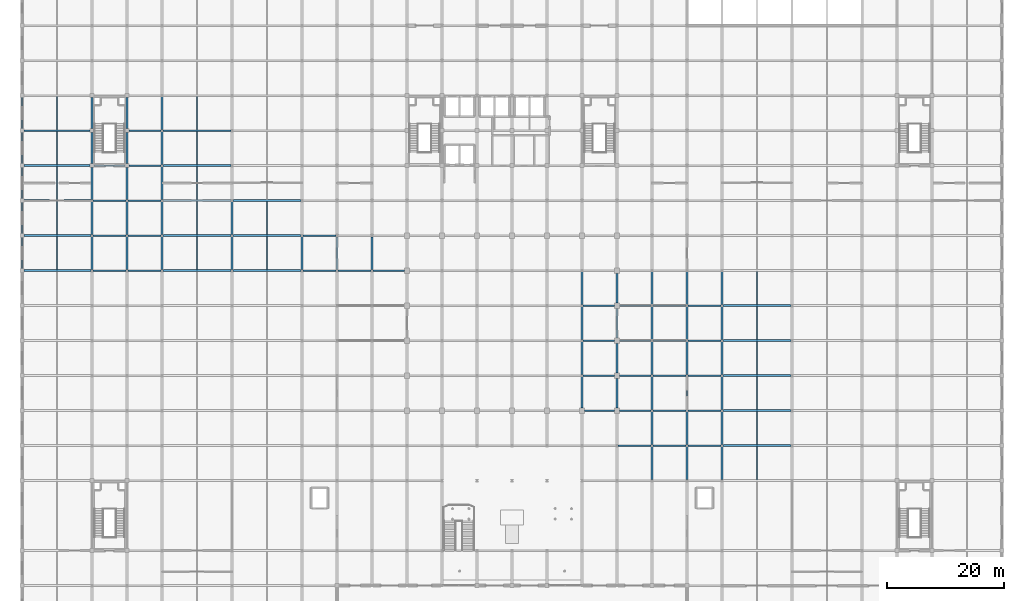
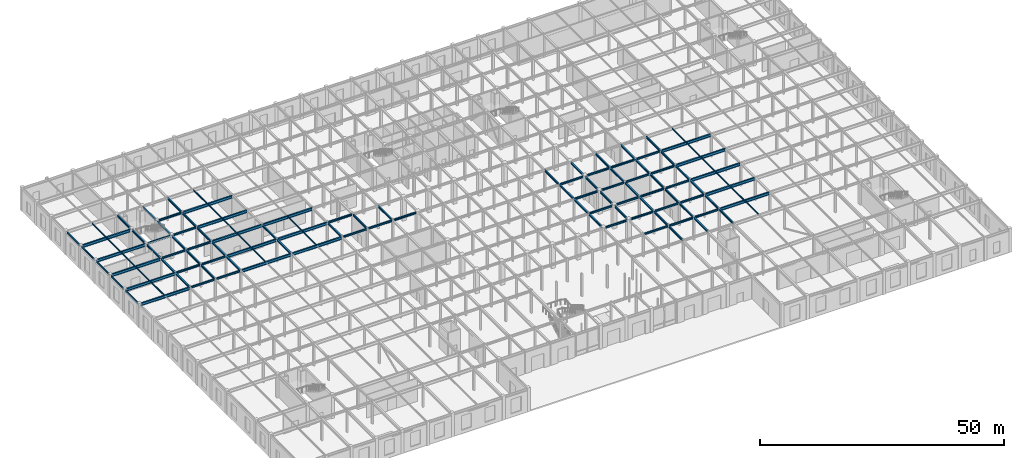
# One storey, part 33 of 51: 119 beams.
"""IFC4 building model written with IfcOpenShell, lengths in metres."""

import ifcopenshell
import ifcopenshell.guid

model = None  # the IFC model being written
_history = None  # IfcOwnerHistory: only IFC2X3 demands one
_inside = {}  # id of a spatial element -> (the spatial element, [elements in it])
_under = {}  # id of a project, library or spatial element -> (it, [spatial elements below it])
_declared = {}  # id of a project -> (the project, [libraries it declares])
_typed = {}  # id of a type object -> (the type object, [elements of that type])
_made_of = {}  # id of a material, layer set ... -> (it, [elements and type objects made of it])


def new_model(schema):
    """Start an empty IFC model of exactly this schema.

    Asked for "IFC4X3", IfcOpenShell would pick the latest addendum, in which some entities
    have other attributes; the version numbers below select the first issue.
    IFC2X3 requires an IfcOwnerHistory on every rooted entity: one is made here for all.
    """
    global model, _history
    if schema == "IFC4X3":
        model = ifcopenshell.file(schema_version=(4, 3, 0, 0))
    else:
        model = ifcopenshell.file(schema=schema)
    _inside.clear()
    _under.clear()
    _declared.clear()
    _typed.clear()
    _made_of.clear()
    _history = None
    if model.schema == "IFC2X3":
        org = make("IfcOrganization", Name="unknown")
        user = make(
            "IfcPersonAndOrganization",
            ThePerson=make("IfcPerson", FamilyName="unknown"),
            TheOrganization=org,
        )
        app = make(
            "IfcApplication",
            ApplicationDeveloper=org,
            Version="unknown",
            ApplicationFullName="unknown",
            ApplicationIdentifier="unknown",
        )
        _history = make(
            "IfcOwnerHistory",
            OwningUser=user,
            OwningApplication=app,
            ChangeAction="ADDED",
            CreationDate=0,
        )
    return model


def make(cls, **values):
    """One entity of the class cls with the attributes given. An attribute that is None is left unset."""
    return model.create_entity(
        cls, **{name: value for name, value in values.items() if value is not None}
    )


def rooted(cls, **values):
    """An entity with a GlobalId (a new one), such as an element, a storey or a relation."""
    return make(cls, GlobalId=ifcopenshell.guid.new(), OwnerHistory=_history, **values)


def si_unit(unit_type, name, prefix=None):
    """IfcSIUnit, for example si_unit("LENGTHUNIT", "METRE", prefix="MILLI")."""
    return make("IfcSIUnit", UnitType=unit_type, Prefix=prefix, Name=name)


def assignment(units):
    """IfcUnitAssignment: the units of a project."""
    return None if units is None else make("IfcUnitAssignment", Units=units)


def point(xyz):
    """IfcCartesianPoint."""
    return None if xyz is None else make("IfcCartesianPoint", Coordinates=xyz)


def direction(xyz):
    """IfcDirection."""
    return None if xyz is None else make("IfcDirection", DirectionRatios=xyz)


def frame(location, z_axis=None, x_axis=None):
    """IfcAxis2Placement3D, a coordinate frame: its origin and axes. An axis left out is left unset."""
    return make(
        "IfcAxis2Placement3D",
        Location=point(location),
        Axis=direction(z_axis),
        RefDirection=direction(x_axis),
    )


def frame_2d(location, x_axis=None):
    """IfcAxis2Placement2D, a coordinate frame in the plane: its origin and x axis."""
    return make(
        "IfcAxis2Placement2D", Location=point(location), RefDirection=direction(x_axis)
    )


def origin():
    """The frame at (0, 0, 0) with its axes left unset."""
    return frame((0.0, 0.0, 0.0))


def origin_2d():
    """The frame at (0, 0) in the plane with its x axis left unset."""
    return frame_2d((0.0, 0.0))


def place(relative_to, where):
    """IfcLocalPlacement: puts the frame where relative to a parent placement (None: the world)."""
    return make(
        "IfcLocalPlacement", PlacementRelTo=relative_to, RelativePlacement=where
    )


def context(
    kind, dimensions, precision=None, world=None, true_north=None, identifier=None
):
    """IfcGeometricRepresentationContext, for example the 3D "Model" context."""
    return make(
        "IfcGeometricRepresentationContext",
        ContextIdentifier=identifier,
        ContextType=kind,
        CoordinateSpaceDimension=dimensions,
        Precision=precision,
        WorldCoordinateSystem=world,
        TrueNorth=true_north,
    )


def subcontext(parent, identifier, kind, view, scale=None):
    """IfcGeometricRepresentationSubContext, for example "Body" below "Model"."""
    return make(
        "IfcGeometricRepresentationSubContext",
        ContextIdentifier=identifier,
        ContextType=kind,
        ParentContext=parent,
        TargetScale=scale,
        TargetView=view,
    )


def project(units=None, contexts=None):
    """IfcProject with its units and contexts."""
    return rooted(
        "IfcProject",
        Name="project",
        RepresentationContexts=contexts,
        UnitsInContext=assignment(units),
    )


def spatial(cls, under=None, at=None, **own):
    """A site, building, storey or space (cls), placed at a placement, below another one or the project."""
    s = rooted(cls, ObjectPlacement=at, **own)
    if under is not None:
        _under.setdefault(under.id(), (under, []))[1].append(s)
    return s


def profile(cls, at=None, kind="AREA", **sizes):
    """A parametric profile (cls). Its sizes go by their IFC names, for example OverallWidth=200.0."""
    return make(cls, ProfileType=kind, Position=at, **sizes)


def i_section(**sizes):
    """IfcIShapeProfileDef."""
    return profile("IfcIShapeProfileDef", **sizes)


def extrude(swept, where, along, depth):
    """IfcExtrudedAreaSolid: the profile swept, set in the frame where, extruded along a direction by depth."""
    return make(
        "IfcExtrudedAreaSolid",
        SweptArea=swept,
        Position=where,
        ExtrudedDirection=direction(along),
        Depth=depth,
    )


def shape(context_of_items, identifier, shape_type, items):
    """IfcShapeRepresentation: the items that make up one representation, for example the "Body"."""
    return make(
        "IfcShapeRepresentation",
        ContextOfItems=context_of_items,
        RepresentationIdentifier=identifier,
        RepresentationType=shape_type,
        Items=items,
    )


def material(Name=None, Category=None):
    """IfcMaterial."""
    return make("IfcMaterial", Name=Name, Category=Category)


def material_profile(
    of_material, cross_section, Name=None, Category=None, Priority=None
):
    """IfcMaterialProfile: a cross section and its material."""
    return make(
        "IfcMaterialProfile",
        Name=Name,
        Material=of_material,
        Profile=cross_section,
        Priority=Priority,
        Category=Category,
    )


def profile_set(profiles, Name=None, composite=None):
    """IfcMaterialProfileSet."""
    return make(
        "IfcMaterialProfileSet",
        Name=Name,
        MaterialProfiles=profiles,
        CompositeProfile=composite,
    )


def made_of(thing, what):
    """Note that an element or type object is made of a material, layer set ...; save() writes the relation."""
    if what is not None:
        _made_of.setdefault(what.id(), (what, []))[1].append(thing)
    return thing


def type_object(cls, material=None, **own):
    """A type object (cls), such as IfcWallType, which elements share."""
    return made_of(rooted(cls, **own), material)


def element(
    cls,
    number,
    at=None,
    inside=None,
    cuts=None,
    type_object=None,
    material=None,
    context=None,
    identifier="Body",
    shape_type=None,
    held_by="IfcProductDefinitionShape",
    body=None,
    shapes=None,
    **own,
):
    """One element of the class cls, such as IfcWall. Its Tag is "e" and its number.

    at: its placement. inside: the storey or other place that contains it. cuts: it is an
    opening in that element (IfcRelVoidsElement). A single representation is given by context,
    identifier, shape_type and body (its items); several are given by shapes. held_by: the class
    of the entity that holds the representations. save() writes the other relations.
    """
    e = rooted(cls, Tag="e%d" % number, ObjectPlacement=at, **own)
    if body is not None:
        shapes = [shape(context, identifier, shape_type, body)]
    if shapes is not None:
        e.Representation = make(held_by, Representations=shapes)
    if inside is not None:
        _inside.setdefault(inside.id(), (inside, []))[1].append(e)
    if cuts is not None:
        rooted(
            "IfcRelVoidsElement", RelatingBuildingElement=cuts, RelatedOpeningElement=e
        )
    if type_object is not None:
        _typed.setdefault(type_object.id(), (type_object, []))[1].append(e)
    return made_of(e, material)


def aggregate(whole, parts):
    """IfcRelAggregates: a whole, such as a stair, and the parts it consists of."""
    return rooted("IfcRelAggregates", RelatingObject=whole, RelatedObjects=parts)


def save(model, path):
    """Write the relations noted so far, then the file.

    IfcRelAggregates (storeys below a building ...), IfcRelContainedInSpatialStructure (elements
    in a storey), IfcRelDefinesByType, IfcRelAssociatesMaterial and IfcRelDeclares: one each for
    every whole, place, type object, material and project.
    """
    for whole, parts in _under.values():
        aggregate(whole, parts)
    for where, things in _inside.values():
        rooted(
            "IfcRelContainedInSpatialStructure",
            RelatedElements=things,
            RelatingStructure=where,
        )
    for kind, things in _typed.values():
        rooted("IfcRelDefinesByType", RelatedObjects=things, RelatingType=kind)
    for what, things in _made_of.values():
        rooted("IfcRelAssociatesMaterial", RelatedObjects=things, RelatingMaterial=what)
    for by, libraries in _declared.values():
        rooted("IfcRelDeclares", RelatingContext=by, RelatedDefinitions=libraries)
    model.write(path)


model = new_model("IFC4")

# Units and contexts
model_context = context("Model", 3, precision=1e-05, world=origin(), true_north=direction((0.0, 1.0)))
body_context = subcontext(model_context, "Body", "Model", "MODEL_VIEW")
ifc_project = project(units=[si_unit("LENGTHUNIT", "METRE"), si_unit("AREAUNIT", "SQUARE_METRE"), si_unit("VOLUMEUNIT", "CUBIC_METRE"), si_unit("PLANEANGLEUNIT", "RADIAN"), si_unit("MASSUNIT", "GRAM", prefix="KILO")], contexts=[model_context])

# Site, building, storey
site_placement = place(None, origin())
site = spatial("IfcSite", under=ifc_project, at=site_placement, CompositionType="ELEMENT")
building_placement = place(site_placement, origin())
building = spatial("IfcBuilding", under=site, at=building_placement, Name="Zlatovratsky Civic Hall", CompositionType="ELEMENT")
storey_placement = place(building_placement, origin())
storey = spatial("IfcBuildingStorey", under=building, at=storey_placement, Name="L01", CompositionType="ELEMENT", Elevation=0.0)

# Beams
ifc_material = material(Name="Steel S355", Category="steel")
ifc_material_profile_1 = material_profile(ifc_material, i_section(OverallWidth=0.320068359375, OverallDepth=0.68310546875, WebThickness=0.012939453125, FlangeThickness=0.01904296875, FilletRadius=0.02587890625, at=origin_2d()), Name="70Sh1")
ifc_profile_set_1 = profile_set([ifc_material_profile_1], Name="Steel S355")
beam_type_1 = type_object("IfcBeamType", Name="Beam_HallGirder_70Sh1", PredefinedType="BEAM", material=ifc_profile_set_1)
for number, where, z_axis, x_axis, name in (
    (1, (120.175048828125, 36.0, 5.41845703125), (1.0, 0.0, 0.0), (0.0, 1.0, 0.0), "BM-0960"),
    (2, (120.175048828125, 42.0, 5.41845703125), (1.0, 0.0, 0.0), (0.0, 1.0, 0.0), "BM-0982"),
    (3, (120.175048828125, 48.0, 5.41845703125), (1.0, 0.0, 0.0), (0.0, 1.0, 0.0), "BM-1004"),
    (4, (120.175048828125, 54.0, 5.41845703125), (1.0, 0.0, 0.0), (0.0, 1.0, 0.0), "BM-1026"),
    (5, (120.175048828125, 60.0, 5.41845703125), (1.0, 0.0, 0.0), (0.0, 1.0, 0.0), "BM-1048"),
):
    element("IfcBeam", number, at=place(storey_placement, frame(where, z_axis=z_axis, x_axis=x_axis)), inside=storey, type_object=beam_type_1, Name=name, PredefinedType="BEAM", context=body_context, shape_type="SweptSolid", body=[
        extrude(i_section(OverallWidth=0.320068359375, OverallDepth=0.68310546875, WebThickness=0.012939453125, FlangeThickness=0.01904296875, FilletRadius=0.02587890625, at=origin_2d()), origin(), (0.0, 0.0, 1.0), 11.64990234375),
    ])
beam_1_placement = place(storey_placement, frame((0.35009765625, 66.0, 5.41845703125), z_axis=(1.0, 0.0, 0.0), x_axis=(0.0, 1.0, 0.0)))
element("IfcBeam", 6, at=beam_1_placement, inside=storey, type_object=beam_type_1, Name="BM-1053", PredefinedType="BEAM", context=body_context, shape_type="SweptSolid", body=[
    extrude(i_section(OverallWidth=0.320068359375, OverallDepth=0.68310546875, WebThickness=0.012939453125, FlangeThickness=0.01904296875, FilletRadius=0.02587890625, at=origin_2d()), origin(), (0.0, 0.0, 1.0), 11.474853515625),
])
for number, where, z_axis, x_axis, name in (
    (7, (24.175048828125, 66.0, 5.41845703125), (1.0, 0.0, 0.0), (0.0, 1.0, 0.0), "BM-1056"),
    (8, (36.175048828125, 66.0, 5.41845703125), (1.0, 0.0, 0.0), (0.0, 1.0, 0.0), "BM-1057"),
):
    element("IfcBeam", number, at=place(storey_placement, frame(where, z_axis=z_axis, x_axis=x_axis)), inside=storey, type_object=beam_type_1, Name=name, PredefinedType="BEAM", context=body_context, shape_type="SweptSolid", body=[
        extrude(i_section(OverallWidth=0.320068359375, OverallDepth=0.68310546875, WebThickness=0.012939453125, FlangeThickness=0.01904296875, FilletRadius=0.02587890625, at=origin_2d()), origin(), (0.0, 0.0, 1.0), 11.64990234375),
    ])
beam_2_placement = place(storey_placement, frame((0.35009765625, 72.0, 5.41845703125), z_axis=(1.0, 0.0, 0.0), x_axis=(0.0, 1.0, 0.0)))
element("IfcBeam", 9, at=beam_2_placement, inside=storey, type_object=beam_type_1, Name="BM-1075", PredefinedType="BEAM", context=body_context, shape_type="SweptSolid", body=[
    extrude(i_section(OverallWidth=0.320068359375, OverallDepth=0.68310546875, WebThickness=0.012939453125, FlangeThickness=0.01904296875, FilletRadius=0.02587890625, at=origin_2d()), origin(), (0.0, 0.0, 1.0), 11.474853515625),
])
for number, where, z_axis, x_axis, name in (
    (10, (24.175048828125, 72.0, 5.41845703125), (1.0, 0.0, 0.0), (0.0, 1.0, 0.0), "BM-1078"),
    (11, (36.175048828125, 72.0, 5.41845703125), (1.0, 0.0, 0.0), (0.0, 1.0, 0.0), "BM-1079"),
):
    element("IfcBeam", number, at=place(storey_placement, frame(where, z_axis=z_axis, x_axis=x_axis)), inside=storey, type_object=beam_type_1, Name=name, PredefinedType="BEAM", context=body_context, shape_type="SweptSolid", body=[
        extrude(i_section(OverallWidth=0.320068359375, OverallDepth=0.68310546875, WebThickness=0.012939453125, FlangeThickness=0.01904296875, FilletRadius=0.02587890625, at=origin_2d()), origin(), (0.0, 0.0, 1.0), 11.64990234375),
    ])
beam_3_placement = place(storey_placement, frame((0.35009765625, 78.0, 5.41845703125), z_axis=(1.0, 0.0, 0.0), x_axis=(0.0, 1.0, 0.0)))
element("IfcBeam", 12, at=beam_3_placement, inside=storey, type_object=beam_type_1, Name="BM-1097", PredefinedType="BEAM", context=body_context, shape_type="SweptSolid", body=[
    extrude(i_section(OverallWidth=0.320068359375, OverallDepth=0.68310546875, WebThickness=0.012939453125, FlangeThickness=0.01904296875, FilletRadius=0.02587890625, at=origin_2d()), origin(), (0.0, 0.0, 1.0), 11.474853515625),
])
for number, where, z_axis, x_axis, name in (
    (13, (24.175048828125, 78.0, 5.41845703125), (1.0, 0.0, 0.0), (0.0, 1.0, 0.0), "BM-1100"),
    (14, (36.175048828125, 78.0, 5.41845703125), (1.0, 0.0, 0.0), (0.0, 1.0, 0.0), "BM-1101"),
):
    element("IfcBeam", number, at=place(storey_placement, frame(where, z_axis=z_axis, x_axis=x_axis)), inside=storey, type_object=beam_type_1, Name=name, PredefinedType="BEAM", context=body_context, shape_type="SweptSolid", body=[
        extrude(i_section(OverallWidth=0.320068359375, OverallDepth=0.68310546875, WebThickness=0.012939453125, FlangeThickness=0.01904296875, FilletRadius=0.02587890625, at=origin_2d()), origin(), (0.0, 0.0, 1.0), 11.64990234375),
    ])
beam_4_placement = place(storey_placement, frame((0.35009765625, 84.0, 5.41845703125), z_axis=(1.0, 0.0, 0.0), x_axis=(0.0, 1.0, 0.0)))
element("IfcBeam", 15, at=beam_4_placement, inside=storey, type_object=beam_type_1, Name="BM-1119", PredefinedType="BEAM", context=body_context, shape_type="SweptSolid", body=[
    extrude(i_section(OverallWidth=0.320068359375, OverallDepth=0.68310546875, WebThickness=0.012939453125, FlangeThickness=0.01904296875, FilletRadius=0.02587890625, at=origin_2d()), origin(), (0.0, 0.0, 1.0), 11.2998046875),
])
beam_5_placement = place(storey_placement, frame((24.175048828125, 84.0, 5.41845703125), z_axis=(1.0, 0.0, 0.0), x_axis=(0.0, 1.0, 0.0)))
element("IfcBeam", 16, at=beam_5_placement, inside=storey, type_object=beam_type_1, Name="BM-1122", PredefinedType="BEAM", context=body_context, shape_type="SweptSolid", body=[
    extrude(i_section(OverallWidth=0.320068359375, OverallDepth=0.68310546875, WebThickness=0.012939453125, FlangeThickness=0.01904296875, FilletRadius=0.02587890625, at=origin_2d()), origin(), (0.0, 0.0, 1.0), 11.64990234375),
])
beam_6_placement = place(storey_placement, frame((0.35009765625, 90.0, 5.41845703125), z_axis=(1.0, 0.0, 0.0), x_axis=(0.0, 1.0, 0.0)))
element("IfcBeam", 17, at=beam_6_placement, inside=storey, type_object=beam_type_1, Name="BM-1141", PredefinedType="BEAM", context=body_context, shape_type="SweptSolid", body=[
    extrude(i_section(OverallWidth=0.320068359375, OverallDepth=0.68310546875, WebThickness=0.012939453125, FlangeThickness=0.01904296875, FilletRadius=0.02587890625, at=origin_2d()), origin(), (0.0, 0.0, 1.0), 11.2998046875),
])
beam_7_placement = place(storey_placement, frame((24.175048828125, 90.0, 5.41845703125), z_axis=(1.0, 0.0, 0.0), x_axis=(0.0, 1.0, 0.0)))
element("IfcBeam", 18, at=beam_7_placement, inside=storey, type_object=beam_type_1, Name="BM-1143", PredefinedType="BEAM", context=body_context, shape_type="SweptSolid", body=[
    extrude(i_section(OverallWidth=0.320068359375, OverallDepth=0.68310546875, WebThickness=0.012939453125, FlangeThickness=0.01904296875, FilletRadius=0.02587890625, at=origin_2d()), origin(), (0.0, 0.0, 1.0), 11.64990234375),
])
ifc_material_profile_2 = material_profile(ifc_material, i_section(OverallWidth=0.198974609375, OverallDepth=0.491943359375, WebThickness=0.0087890625, FlangeThickness=0.011962890625, FilletRadius=0.01611328125, at=origin_2d()), Name="50B1")
ifc_profile_set_2 = profile_set([ifc_material_profile_2], Name="Steel S355")
beam_type_2 = type_object("IfcBeamType", Name="Beam_Spandrel_50B1", PredefinedType="SPANDREL", material=ifc_profile_set_2)
for number, where, z_axis, x_axis, name in (
    (19, (0.0, 66.35009765625, 5.513916015625), (0.0, 1.0, 0.0), (-1.0, 0.0, 0.0), "BM-1256"),
    (20, (0.0, 72.35009765625, 5.513916015625), (0.0, 1.0, 0.0), (-1.0, 0.0, 0.0), "BM-1257"),
    (21, (0.0, 78.35009765625, 5.513916015625), (0.0, 1.0, 0.0), (-1.0, 0.0, 0.0), "BM-1258"),
    (22, (0.0, 84.35009765625, 5.513916015625), (0.0, 1.0, 0.0), (-1.0, 0.0, 0.0), "BM-1259"),
    (23, (0.0, 90.35009765625, 5.513916015625), (0.0, 1.0, 0.0), (-1.0, 0.0, 0.0), "BM-1260"),
):
    element("IfcBeam", number, at=place(storey_placement, frame(where, z_axis=z_axis, x_axis=x_axis)), inside=storey, type_object=beam_type_2, Name=name, PredefinedType="SPANDREL", context=body_context, shape_type="SweptSolid", body=[
        extrude(i_section(OverallWidth=0.198974609375, OverallDepth=0.491943359375, WebThickness=0.0087890625, FlangeThickness=0.011962890625, FilletRadius=0.01611328125, at=origin_2d()), origin(), (0.0, 0.0, 1.0), 5.2998046875),
    ])
ifc_material_profile_3 = material_profile(ifc_material, i_section(OverallWidth=0.300048828125, OverallDepth=0.43994140625, WebThickness=0.010986328125, FlangeThickness=0.01806640625, FilletRadius=0.02197265625, at=origin_2d()), Name="45Sh1")
ifc_profile_set_3 = profile_set([ifc_material_profile_3], Name="Steel S355")
beam_type_3 = type_object("IfcBeamType", Name="Beam_TowerLow_45Sh1", PredefinedType="BEAM", material=ifc_profile_set_3)
for number, where, z_axis, x_axis, name in (
    (24, (102.175048828125, 36.0, 5.5400390625), (1.0, 0.0, 0.0), (0.0, 1.0, 0.0), "BM-0957"),
    (25, (108.175048828125, 36.0, 5.5400390625), (1.0, 0.0, 0.0), (0.0, 1.0, 0.0), "BM-0958"),
    (26, (114.175048828125, 36.0, 5.5400390625), (1.0, 0.0, 0.0), (0.0, 1.0, 0.0), "BM-0959"),
):
    element("IfcBeam", number, at=place(storey_placement, frame(where, z_axis=z_axis, x_axis=x_axis)), inside=storey, type_object=beam_type_3, Name=name, PredefinedType="BEAM", context=body_context, shape_type="SweptSolid", body=[
        extrude(i_section(OverallWidth=0.300048828125, OverallDepth=0.43994140625, WebThickness=0.010986328125, FlangeThickness=0.01806640625, FilletRadius=0.02197265625, at=origin_2d()), origin(), (0.0, 0.0, 1.0), 5.64990234375),
    ])
beam_8_placement = place(storey_placement, frame((96.449951171875, 42.0, 5.5400390625), z_axis=(1.0, 0.0, 0.0), x_axis=(0.0, 1.0, 0.0)))
element("IfcBeam", 27, at=beam_8_placement, inside=storey, type_object=beam_type_3, Name="BM-0978", PredefinedType="BEAM", context=body_context, shape_type="SweptSolid", body=[
    extrude(i_section(OverallWidth=0.300048828125, OverallDepth=0.43994140625, WebThickness=0.010986328125, FlangeThickness=0.01806640625, FilletRadius=0.02197265625, at=origin_2d()), origin(), (0.0, 0.0, 1.0), 5.10009765625),
])
beam_9_placement = place(storey_placement, frame((102.449951171875, 42.0, 5.5400390625), z_axis=(1.0, 0.0, 0.0), x_axis=(0.0, 1.0, 0.0)))
element("IfcBeam", 28, at=beam_9_placement, inside=storey, type_object=beam_type_3, Name="BM-0979", PredefinedType="BEAM", context=body_context, shape_type="SweptSolid", body=[
    extrude(i_section(OverallWidth=0.300048828125, OverallDepth=0.43994140625, WebThickness=0.010986328125, FlangeThickness=0.01806640625, FilletRadius=0.02197265625, at=origin_2d()), origin(), (0.0, 0.0, 1.0), 5.375),
])
for number, where, z_axis, x_axis, name in (
    (29, (108.175048828125, 42.0, 5.5400390625), (1.0, 0.0, 0.0), (0.0, 1.0, 0.0), "BM-0980"),
    (30, (114.175048828125, 42.0, 5.5400390625), (1.0, 0.0, 0.0), (0.0, 1.0, 0.0), "BM-0981"),
):
    element("IfcBeam", number, at=place(storey_placement, frame(where, z_axis=z_axis, x_axis=x_axis)), inside=storey, type_object=beam_type_3, Name=name, PredefinedType="BEAM", context=body_context, shape_type="SweptSolid", body=[
        extrude(i_section(OverallWidth=0.300048828125, OverallDepth=0.43994140625, WebThickness=0.010986328125, FlangeThickness=0.01806640625, FilletRadius=0.02197265625, at=origin_2d()), origin(), (0.0, 0.0, 1.0), 5.64990234375),
    ])
for number, where, z_axis, x_axis, name in (
    (31, (96.175048828125, 48.0, 5.5400390625), (1.0, 0.0, 0.0), (0.0, 1.0, 0.0), "BM-1000"),
    (32, (102.449951171875, 48.0, 5.5400390625), (1.0, 0.0, 0.0), (0.0, 1.0, 0.0), "BM-1001"),
):
    element("IfcBeam", number, at=place(storey_placement, frame(where, z_axis=z_axis, x_axis=x_axis)), inside=storey, type_object=beam_type_3, Name=name, PredefinedType="BEAM", context=body_context, shape_type="SweptSolid", body=[
        extrude(i_section(OverallWidth=0.300048828125, OverallDepth=0.43994140625, WebThickness=0.010986328125, FlangeThickness=0.01806640625, FilletRadius=0.02197265625, at=origin_2d()), origin(), (0.0, 0.0, 1.0), 5.375),
    ])
for number, where, z_axis, x_axis, name in (
    (33, (108.175048828125, 48.0, 5.5400390625), (1.0, 0.0, 0.0), (0.0, 1.0, 0.0), "BM-1002"),
    (34, (114.175048828125, 48.0, 5.5400390625), (1.0, 0.0, 0.0), (0.0, 1.0, 0.0), "BM-1003"),
):
    element("IfcBeam", number, at=place(storey_placement, frame(where, z_axis=z_axis, x_axis=x_axis)), inside=storey, type_object=beam_type_3, Name=name, PredefinedType="BEAM", context=body_context, shape_type="SweptSolid", body=[
        extrude(i_section(OverallWidth=0.300048828125, OverallDepth=0.43994140625, WebThickness=0.010986328125, FlangeThickness=0.01806640625, FilletRadius=0.02197265625, at=origin_2d()), origin(), (0.0, 0.0, 1.0), 5.64990234375),
    ])
for number, where, z_axis, x_axis, name in (
    (35, (96.175048828125, 54.0, 5.5400390625), (1.0, 0.0, 0.0), (0.0, 1.0, 0.0), "BM-1022"),
    (36, (102.449951171875, 54.0, 5.5400390625), (1.0, 0.0, 0.0), (0.0, 1.0, 0.0), "BM-1023"),
):
    element("IfcBeam", number, at=place(storey_placement, frame(where, z_axis=z_axis, x_axis=x_axis)), inside=storey, type_object=beam_type_3, Name=name, PredefinedType="BEAM", context=body_context, shape_type="SweptSolid", body=[
        extrude(i_section(OverallWidth=0.300048828125, OverallDepth=0.43994140625, WebThickness=0.010986328125, FlangeThickness=0.01806640625, FilletRadius=0.02197265625, at=origin_2d()), origin(), (0.0, 0.0, 1.0), 5.375),
    ])
for number, where, z_axis, x_axis, name in (
    (37, (108.175048828125, 54.0, 5.5400390625), (1.0, 0.0, 0.0), (0.0, 1.0, 0.0), "BM-1024"),
    (38, (114.175048828125, 54.0, 5.5400390625), (1.0, 0.0, 0.0), (0.0, 1.0, 0.0), "BM-1025"),
):
    element("IfcBeam", number, at=place(storey_placement, frame(where, z_axis=z_axis, x_axis=x_axis)), inside=storey, type_object=beam_type_3, Name=name, PredefinedType="BEAM", context=body_context, shape_type="SweptSolid", body=[
        extrude(i_section(OverallWidth=0.300048828125, OverallDepth=0.43994140625, WebThickness=0.010986328125, FlangeThickness=0.01806640625, FilletRadius=0.02197265625, at=origin_2d()), origin(), (0.0, 0.0, 1.0), 5.64990234375),
    ])
for number, where, z_axis, x_axis, name in (
    (39, (96.175048828125, 60.0, 5.5400390625), (1.0, 0.0, 0.0), (0.0, 1.0, 0.0), "BM-1044"),
    (40, (102.449951171875, 60.0, 5.5400390625), (1.0, 0.0, 0.0), (0.0, 1.0, 0.0), "BM-1045"),
):
    element("IfcBeam", number, at=place(storey_placement, frame(where, z_axis=z_axis, x_axis=x_axis)), inside=storey, type_object=beam_type_3, Name=name, PredefinedType="BEAM", context=body_context, shape_type="SweptSolid", body=[
        extrude(i_section(OverallWidth=0.300048828125, OverallDepth=0.43994140625, WebThickness=0.010986328125, FlangeThickness=0.01806640625, FilletRadius=0.02197265625, at=origin_2d()), origin(), (0.0, 0.0, 1.0), 5.375),
    ])
for number, where, z_axis, x_axis, name in (
    (41, (108.175048828125, 60.0, 5.5400390625), (1.0, 0.0, 0.0), (0.0, 1.0, 0.0), "BM-1046"),
    (42, (114.175048828125, 60.0, 5.5400390625), (1.0, 0.0, 0.0), (0.0, 1.0, 0.0), "BM-1047"),
    (43, (12.175048828125, 66.0, 5.5400390625), (1.0, 0.0, 0.0), (0.0, 1.0, 0.0), "BM-1054"),
    (44, (18.175048828125, 66.0, 5.5400390625), (1.0, 0.0, 0.0), (0.0, 1.0, 0.0), "BM-1055"),
    (45, (48.175048828125, 66.0, 5.5400390625), (1.0, 0.0, 0.0), (0.0, 1.0, 0.0), "BM-1058"),
    (46, (54.175048828125, 66.0, 5.5400390625), (1.0, 0.0, 0.0), (0.0, 1.0, 0.0), "BM-1059"),
):
    element("IfcBeam", number, at=place(storey_placement, frame(where, z_axis=z_axis, x_axis=x_axis)), inside=storey, type_object=beam_type_3, Name=name, PredefinedType="BEAM", context=body_context, shape_type="SweptSolid", body=[
        extrude(i_section(OverallWidth=0.300048828125, OverallDepth=0.43994140625, WebThickness=0.010986328125, FlangeThickness=0.01806640625, FilletRadius=0.02197265625, at=origin_2d()), origin(), (0.0, 0.0, 1.0), 5.64990234375),
    ])
beam_10_placement = place(storey_placement, frame((60.175048828125, 66.0, 5.5400390625), z_axis=(1.0, 0.0, 0.0), x_axis=(0.0, 1.0, 0.0)))
element("IfcBeam", 47, at=beam_10_placement, inside=storey, type_object=beam_type_3, Name="BM-1060", PredefinedType="BEAM", context=body_context, shape_type="SweptSolid", body=[
    extrude(i_section(OverallWidth=0.300048828125, OverallDepth=0.43994140625, WebThickness=0.010986328125, FlangeThickness=0.01806640625, FilletRadius=0.02197265625, at=origin_2d()), origin(), (0.0, 0.0, 1.0), 5.375),
])
for number, where, z_axis, x_axis, name in (
    (48, (12.175048828125, 72.0, 5.5400390625), (1.0, 0.0, 0.0), (0.0, 1.0, 0.0), "BM-1076"),
    (49, (18.175048828125, 72.0, 5.5400390625), (1.0, 0.0, 0.0), (0.0, 1.0, 0.0), "BM-1077"),
):
    element("IfcBeam", number, at=place(storey_placement, frame(where, z_axis=z_axis, x_axis=x_axis)), inside=storey, type_object=beam_type_3, Name=name, PredefinedType="BEAM", context=body_context, shape_type="SweptSolid", body=[
        extrude(i_section(OverallWidth=0.300048828125, OverallDepth=0.43994140625, WebThickness=0.010986328125, FlangeThickness=0.01806640625, FilletRadius=0.02197265625, at=origin_2d()), origin(), (0.0, 0.0, 1.0), 5.64990234375),
    ])
beam_11_placement = place(storey_placement, frame((48.175048828125, 72.0, 5.5400390625), z_axis=(1.0, 0.0, 0.0), x_axis=(0.0, 1.0, 0.0)))
element("IfcBeam", 50, at=beam_11_placement, inside=storey, type_object=beam_type_3, Name="BM-1080", PredefinedType="BEAM", context=body_context, shape_type="SweptSolid", body=[
    extrude(i_section(OverallWidth=0.300048828125, OverallDepth=0.43994140625, WebThickness=0.010986328125, FlangeThickness=0.01806640625, FilletRadius=0.02197265625, at=origin_2d()), origin(), (0.0, 0.0, 1.0), 5.620361328125),
])
for number, where, z_axis, x_axis, name in (
    (51, (12.175048828125, 78.0, 5.5400390625), (1.0, 0.0, 0.0), (0.0, 1.0, 0.0), "BM-1098"),
    (52, (18.175048828125, 78.0, 5.5400390625), (1.0, 0.0, 0.0), (0.0, 1.0, 0.0), "BM-1099"),
):
    element("IfcBeam", number, at=place(storey_placement, frame(where, z_axis=z_axis, x_axis=x_axis)), inside=storey, type_object=beam_type_3, Name=name, PredefinedType="BEAM", context=body_context, shape_type="SweptSolid", body=[
        extrude(i_section(OverallWidth=0.300048828125, OverallDepth=0.43994140625, WebThickness=0.010986328125, FlangeThickness=0.01806640625, FilletRadius=0.02197265625, at=origin_2d()), origin(), (0.0, 0.0, 1.0), 5.64990234375),
    ])
beam_12_placement = place(storey_placement, frame((12.35009765625, 84.0, 5.5400390625), z_axis=(1.0, 0.0, 0.0), x_axis=(0.0, 1.0, 0.0)))
element("IfcBeam", 53, at=beam_12_placement, inside=storey, type_object=beam_type_3, Name="BM-1120", PredefinedType="BEAM", context=body_context, shape_type="SweptSolid", body=[
    extrude(i_section(OverallWidth=0.300048828125, OverallDepth=0.43994140625, WebThickness=0.010986328125, FlangeThickness=0.01806640625, FilletRadius=0.02197265625, at=origin_2d()), origin(), (0.0, 0.0, 1.0), 5.2998046875),
])
for number, where, z_axis, x_axis, name in (
    (54, (18.35009765625, 84.0, 5.5400390625), (1.0, 0.0, 0.0), (0.0, 1.0, 0.0), "BM-1121"),
    (55, (18.35009765625, 90.0, 5.5400390625), (1.0, 0.0, 0.0), (0.0, 1.0, 0.0), "BM-1142"),
):
    element("IfcBeam", number, at=place(storey_placement, frame(where, z_axis=z_axis, x_axis=x_axis)), inside=storey, type_object=beam_type_3, Name=name, PredefinedType="BEAM", context=body_context, shape_type="SweptSolid", body=[
        extrude(i_section(OverallWidth=0.300048828125, OverallDepth=0.43994140625, WebThickness=0.010986328125, FlangeThickness=0.01806640625, FilletRadius=0.02197265625, at=origin_2d()), origin(), (0.0, 0.0, 1.0), 5.474853515625),
    ])
for number, where, z_axis, x_axis, name in (
    (56, (12.0, 66.17138671875, 5.5400390625), (0.0, 1.0, 0.0), (-1.0, 0.0, 0.0), "BM-1273"),
    (57, (12.0, 72.17138671875, 5.5400390625), (0.0, 1.0, 0.0), (-1.0, 0.0, 0.0), "BM-1274"),
):
    element("IfcBeam", number, at=place(storey_placement, frame(where, z_axis=z_axis, x_axis=x_axis)), inside=storey, type_object=beam_type_3, Name=name, PredefinedType="BEAM", context=body_context, shape_type="SweptSolid", body=[
        extrude(i_section(OverallWidth=0.300048828125, OverallDepth=0.43994140625, WebThickness=0.010986328125, FlangeThickness=0.01806640625, FilletRadius=0.02197265625, at=origin_2d()), origin(), (0.0, 0.0, 1.0), 5.6572265625),
    ])
beam_13_placement = place(storey_placement, frame((12.0, 78.17138671875, 5.5400390625), z_axis=(0.0, 1.0, 0.0), x_axis=(-1.0, 0.0, 0.0)))
element("IfcBeam", 58, at=beam_13_placement, inside=storey, type_object=beam_type_3, Name="BM-1275", PredefinedType="BEAM", context=body_context, shape_type="SweptSolid", body=[
    extrude(i_section(OverallWidth=0.300048828125, OverallDepth=0.43994140625, WebThickness=0.010986328125, FlangeThickness=0.01806640625, FilletRadius=0.02197265625, at=origin_2d()), origin(), (0.0, 0.0, 1.0), 5.478515625),
])
for number, where, z_axis, x_axis, name in (
    (59, (12.0, 84.35009765625, 5.5400390625), (0.0, 1.0, 0.0), (-1.0, 0.0, 0.0), "BM-1276"),
    (60, (12.0, 90.35009765625, 5.5400390625), (0.0, 1.0, 0.0), (-1.0, 0.0, 0.0), "BM-1277"),
):
    element("IfcBeam", number, at=place(storey_placement, frame(where, z_axis=z_axis, x_axis=x_axis)), inside=storey, type_object=beam_type_3, Name=name, PredefinedType="BEAM", context=body_context, shape_type="SweptSolid", body=[
        extrude(i_section(OverallWidth=0.300048828125, OverallDepth=0.43994140625, WebThickness=0.010986328125, FlangeThickness=0.01806640625, FilletRadius=0.02197265625, at=origin_2d()), origin(), (0.0, 0.0, 1.0), 5.2998046875),
    ])
for number, where, z_axis, x_axis, name in (
    (61, (18.0, 66.17138671875, 5.5400390625), (0.0, 1.0, 0.0), (-1.0, 0.0, 0.0), "BM-1290"),
    (62, (18.0, 72.17138671875, 5.5400390625), (0.0, 1.0, 0.0), (-1.0, 0.0, 0.0), "BM-1291"),
):
    element("IfcBeam", number, at=place(storey_placement, frame(where, z_axis=z_axis, x_axis=x_axis)), inside=storey, type_object=beam_type_3, Name=name, PredefinedType="BEAM", context=body_context, shape_type="SweptSolid", body=[
        extrude(i_section(OverallWidth=0.300048828125, OverallDepth=0.43994140625, WebThickness=0.010986328125, FlangeThickness=0.01806640625, FilletRadius=0.02197265625, at=origin_2d()), origin(), (0.0, 0.0, 1.0), 5.6572265625),
    ])
beam_14_placement = place(storey_placement, frame((18.0, 78.17138671875, 5.5400390625), z_axis=(0.0, 1.0, 0.0), x_axis=(-1.0, 0.0, 0.0)))
element("IfcBeam", 63, at=beam_14_placement, inside=storey, type_object=beam_type_3, Name="BM-1292", PredefinedType="BEAM", context=body_context, shape_type="SweptSolid", body=[
    extrude(i_section(OverallWidth=0.300048828125, OverallDepth=0.43994140625, WebThickness=0.010986328125, FlangeThickness=0.01806640625, FilletRadius=0.02197265625, at=origin_2d()), origin(), (0.0, 0.0, 1.0), 5.478515625),
])
for number, where, z_axis, x_axis, name in (
    (64, (18.0, 84.35009765625, 5.5400390625), (0.0, 1.0, 0.0), (-1.0, 0.0, 0.0), "BM-1293"),
    (65, (18.0, 90.35009765625, 5.5400390625), (0.0, 1.0, 0.0), (-1.0, 0.0, 0.0), "BM-1294"),
):
    element("IfcBeam", number, at=place(storey_placement, frame(where, z_axis=z_axis, x_axis=x_axis)), inside=storey, type_object=beam_type_3, Name=name, PredefinedType="BEAM", context=body_context, shape_type="SweptSolid", body=[
        extrude(i_section(OverallWidth=0.300048828125, OverallDepth=0.43994140625, WebThickness=0.010986328125, FlangeThickness=0.01806640625, FilletRadius=0.02197265625, at=origin_2d()), origin(), (0.0, 0.0, 1.0), 5.2998046875),
    ])
for number, where, z_axis, x_axis, name in (
    (66, (24.0, 66.17138671875, 5.5400390625), (0.0, 1.0, 0.0), (-1.0, 0.0, 0.0), "BM-1307"),
    (67, (24.0, 72.17138671875, 5.5400390625), (0.0, 1.0, 0.0), (-1.0, 0.0, 0.0), "BM-1308"),
    (68, (24.0, 78.17138671875, 5.5400390625), (0.0, 1.0, 0.0), (-1.0, 0.0, 0.0), "BM-1309"),
    (69, (24.0, 84.17138671875, 5.5400390625), (0.0, 1.0, 0.0), (-1.0, 0.0, 0.0), "BM-1310"),
    (70, (24.0, 90.17138671875, 5.5400390625), (0.0, 1.0, 0.0), (-1.0, 0.0, 0.0), "BM-1311"),
    (71, (36.0, 66.17138671875, 5.5400390625), (0.0, 1.0, 0.0), (-1.0, 0.0, 0.0), "BM-1324"),
    (72, (36.0, 72.17138671875, 5.5400390625), (0.0, 1.0, 0.0), (-1.0, 0.0, 0.0), "BM-1325"),
    (73, (48.0, 66.17138671875, 5.5400390625), (0.0, 1.0, 0.0), (-1.0, 0.0, 0.0), "BM-1341"),
):
    element("IfcBeam", number, at=place(storey_placement, frame(where, z_axis=z_axis, x_axis=x_axis)), inside=storey, type_object=beam_type_3, Name=name, PredefinedType="BEAM", context=body_context, shape_type="SweptSolid", body=[
        extrude(i_section(OverallWidth=0.300048828125, OverallDepth=0.43994140625, WebThickness=0.010986328125, FlangeThickness=0.01806640625, FilletRadius=0.02197265625, at=origin_2d()), origin(), (0.0, 0.0, 1.0), 5.6572265625),
    ])
for number, where, z_axis, x_axis, name in (
    (74, (54.0, 66.17138671875, 5.5400390625), (0.0, 1.0, 0.0), (-1.0, 0.0, 0.0), "BM-1358"),
    (75, (60.0, 66.17138671875, 5.5400390625), (0.0, 1.0, 0.0), (-1.0, 0.0, 0.0), "BM-1374"),
):
    element("IfcBeam", number, at=place(storey_placement, frame(where, z_axis=z_axis, x_axis=x_axis)), inside=storey, type_object=beam_type_3, Name=name, PredefinedType="BEAM", context=body_context, shape_type="SweptSolid", body=[
        extrude(i_section(OverallWidth=0.300048828125, OverallDepth=0.43994140625, WebThickness=0.010986328125, FlangeThickness=0.01806640625, FilletRadius=0.02197265625, at=origin_2d()), origin(), (0.0, 0.0, 1.0), 5.614013671875),
    ])
beam_15_placement = place(storey_placement, frame((96.0, 42.449951171875, 5.5400390625), z_axis=(0.0, 1.0, 0.0), x_axis=(-1.0, 0.0, 0.0)))
element("IfcBeam", 76, at=beam_15_placement, inside=storey, type_object=beam_type_3, Name="BM-1460", PredefinedType="BEAM", context=body_context, shape_type="SweptSolid", body=[
    extrude(i_section(OverallWidth=0.300048828125, OverallDepth=0.43994140625, WebThickness=0.010986328125, FlangeThickness=0.01806640625, FilletRadius=0.02197265625, at=origin_2d()), origin(), (0.0, 0.0, 1.0), 5.378662109375),
])
for number, where, z_axis, x_axis, name in (
    (77, (96.0, 48.17138671875, 5.5400390625), (0.0, 1.0, 0.0), (-1.0, 0.0, 0.0), "BM-1461"),
    (78, (96.0, 54.17138671875, 5.5400390625), (0.0, 1.0, 0.0), (-1.0, 0.0, 0.0), "BM-1462"),
    (79, (96.0, 60.17138671875, 5.5400390625), (0.0, 1.0, 0.0), (-1.0, 0.0, 0.0), "BM-1463"),
):
    element("IfcBeam", number, at=place(storey_placement, frame(where, z_axis=z_axis, x_axis=x_axis)), inside=storey, type_object=beam_type_3, Name=name, PredefinedType="BEAM", context=body_context, shape_type="SweptSolid", body=[
        extrude(i_section(OverallWidth=0.300048828125, OverallDepth=0.43994140625, WebThickness=0.010986328125, FlangeThickness=0.01806640625, FilletRadius=0.02197265625, at=origin_2d()), origin(), (0.0, 0.0, 1.0), 5.6572265625),
    ])
for number, where, z_axis, x_axis, name in (
    (80, (102.0, 42.449951171875, 5.5400390625), (0.0, 1.0, 0.0), (-1.0, 0.0, 0.0), "BM-1476"),
    (81, (102.0, 48.449951171875, 5.5400390625), (0.0, 1.0, 0.0), (-1.0, 0.0, 0.0), "BM-1477"),
    (82, (102.0, 54.449951171875, 5.5400390625), (0.0, 1.0, 0.0), (-1.0, 0.0, 0.0), "BM-1478"),
    (83, (102.0, 60.449951171875, 5.5400390625), (0.0, 1.0, 0.0), (-1.0, 0.0, 0.0), "BM-1479"),
):
    element("IfcBeam", number, at=place(storey_placement, frame(where, z_axis=z_axis, x_axis=x_axis)), inside=storey, type_object=beam_type_3, Name=name, PredefinedType="BEAM", context=body_context, shape_type="SweptSolid", body=[
        extrude(i_section(OverallWidth=0.300048828125, OverallDepth=0.43994140625, WebThickness=0.010986328125, FlangeThickness=0.01806640625, FilletRadius=0.02197265625, at=origin_2d()), origin(), (0.0, 0.0, 1.0), 5.10009765625),
    ])
for number, where, z_axis, x_axis, name in (
    (84, (108.0, 30.17138671875, 5.5400390625), (0.0, 1.0, 0.0), (-1.0, 0.0, 0.0), "BM-1490"),
    (85, (108.0, 36.17138671875, 5.5400390625), (0.0, 1.0, 0.0), (-1.0, 0.0, 0.0), "BM-1491"),
    (86, (108.0, 42.17138671875, 5.5400390625), (0.0, 1.0, 0.0), (-1.0, 0.0, 0.0), "BM-1492"),
    (87, (108.0, 48.17138671875, 5.5400390625), (0.0, 1.0, 0.0), (-1.0, 0.0, 0.0), "BM-1493"),
    (88, (108.0, 54.17138671875, 5.5400390625), (0.0, 1.0, 0.0), (-1.0, 0.0, 0.0), "BM-1494"),
    (89, (108.0, 60.17138671875, 5.5400390625), (0.0, 1.0, 0.0), (-1.0, 0.0, 0.0), "BM-1495"),
    (90, (114.0, 30.17138671875, 5.5400390625), (0.0, 1.0, 0.0), (-1.0, 0.0, 0.0), "BM-1507"),
    (91, (114.0, 36.17138671875, 5.5400390625), (0.0, 1.0, 0.0), (-1.0, 0.0, 0.0), "BM-1508"),
    (92, (114.0, 42.17138671875, 5.5400390625), (0.0, 1.0, 0.0), (-1.0, 0.0, 0.0), "BM-1509"),
    (93, (114.0, 48.17138671875, 5.5400390625), (0.0, 1.0, 0.0), (-1.0, 0.0, 0.0), "BM-1510"),
    (94, (114.0, 54.17138671875, 5.5400390625), (0.0, 1.0, 0.0), (-1.0, 0.0, 0.0), "BM-1511"),
    (95, (114.0, 60.17138671875, 5.5400390625), (0.0, 1.0, 0.0), (-1.0, 0.0, 0.0), "BM-1512"),
    (96, (120.0, 30.17138671875, 5.5400390625), (0.0, 1.0, 0.0), (-1.0, 0.0, 0.0), "BM-1524"),
    (97, (120.0, 36.17138671875, 5.5400390625), (0.0, 1.0, 0.0), (-1.0, 0.0, 0.0), "BM-1525"),
    (98, (120.0, 42.17138671875, 5.5400390625), (0.0, 1.0, 0.0), (-1.0, 0.0, 0.0), "BM-1526"),
    (99, (120.0, 48.17138671875, 5.5400390625), (0.0, 1.0, 0.0), (-1.0, 0.0, 0.0), "BM-1527"),
    (100, (120.0, 54.17138671875, 5.5400390625), (0.0, 1.0, 0.0), (-1.0, 0.0, 0.0), "BM-1528"),
    (101, (120.0, 60.17138671875, 5.5400390625), (0.0, 1.0, 0.0), (-1.0, 0.0, 0.0), "BM-1529"),
):
    element("IfcBeam", number, at=place(storey_placement, frame(where, z_axis=z_axis, x_axis=x_axis)), inside=storey, type_object=beam_type_3, Name=name, PredefinedType="BEAM", context=body_context, shape_type="SweptSolid", body=[
        extrude(i_section(OverallWidth=0.300048828125, OverallDepth=0.43994140625, WebThickness=0.010986328125, FlangeThickness=0.01806640625, FilletRadius=0.02197265625, at=origin_2d()), origin(), (0.0, 0.0, 1.0), 5.6572265625),
    ])
ifc_material_profile_4 = material_profile(ifc_material, i_section(OverallWidth=0.14990234375, OverallDepth=0.300048828125, WebThickness=0.006591796875, FlangeThickness=0.009033203125, FilletRadius=0.012939453125, at=origin_2d()), Name="30B2")
ifc_profile_set_4 = profile_set([ifc_material_profile_4], Name="Steel S355")
beam_type_4 = type_object("IfcBeamType", Name="Joist_Podium_30B2", PredefinedType="JOIST", material=ifc_profile_set_4)
for number, where, z_axis, x_axis, name in (
    (102, (126.0, 30.159912109375, 5.610107421875), (0.0, 1.0, 0.0), (-1.0, 0.0, 0.0), "BM-1644"),
    (103, (126.0, 36.159912109375, 5.610107421875), (0.0, 1.0, 0.0), (-1.0, 0.0, 0.0), "BM-1650"),
    (104, (126.0, 42.159912109375, 5.610107421875), (0.0, 1.0, 0.0), (-1.0, 0.0, 0.0), "BM-1656"),
    (105, (126.0, 48.159912109375, 5.610107421875), (0.0, 1.0, 0.0), (-1.0, 0.0, 0.0), "BM-1662"),
    (106, (126.0, 54.159912109375, 5.610107421875), (0.0, 1.0, 0.0), (-1.0, 0.0, 0.0), "BM-1668"),
    (107, (126.0, 60.159912109375, 5.610107421875), (0.0, 1.0, 0.0), (-1.0, 0.0, 0.0), "BM-1674"),
    (108, (6.0, 66.159912109375, 5.610107421875), (0.0, 1.0, 0.0), (-1.0, 0.0, 0.0), "BM-1677"),
    (109, (30.0, 66.159912109375, 5.610107421875), (0.0, 1.0, 0.0), (-1.0, 0.0, 0.0), "BM-1678"),
    (110, (42.0, 66.159912109375, 5.610107421875), (0.0, 1.0, 0.0), (-1.0, 0.0, 0.0), "BM-1679"),
    (111, (6.0, 72.159912109375, 5.610107421875), (0.0, 1.0, 0.0), (-1.0, 0.0, 0.0), "BM-1683"),
    (112, (30.0, 72.159912109375, 5.610107421875), (0.0, 1.0, 0.0), (-1.0, 0.0, 0.0), "BM-1684"),
    (113, (42.0, 72.159912109375, 5.610107421875), (0.0, 1.0, 0.0), (-1.0, 0.0, 0.0), "BM-1685"),
    (114, (6.0, 78.159912109375, 5.610107421875), (0.0, 1.0, 0.0), (-1.0, 0.0, 0.0), "BM-1689"),
    (115, (30.0, 78.159912109375, 5.610107421875), (0.0, 1.0, 0.0), (-1.0, 0.0, 0.0), "BM-1690"),
    (116, (6.0, 84.159912109375, 5.610107421875), (0.0, 1.0, 0.0), (-1.0, 0.0, 0.0), "BM-1695"),
    (117, (30.0, 84.159912109375, 5.610107421875), (0.0, 1.0, 0.0), (-1.0, 0.0, 0.0), "BM-1696"),
    (118, (6.0, 90.159912109375, 5.610107421875), (0.0, 1.0, 0.0), (-1.0, 0.0, 0.0), "BM-1701"),
    (119, (30.0, 90.159912109375, 5.610107421875), (0.0, 1.0, 0.0), (-1.0, 0.0, 0.0), "BM-1702"),
):
    element("IfcBeam", number, at=place(storey_placement, frame(where, z_axis=z_axis, x_axis=x_axis)), inside=storey, type_object=beam_type_4, Name=name, PredefinedType="JOIST", context=body_context, shape_type="SweptSolid", body=[
        extrude(i_section(OverallWidth=0.14990234375, OverallDepth=0.300048828125, WebThickness=0.006591796875, FlangeThickness=0.009033203125, FilletRadius=0.012939453125, at=origin_2d()), origin(), (0.0, 0.0, 1.0), 5.68017578125),
    ])

save(model, "model.ifc")
